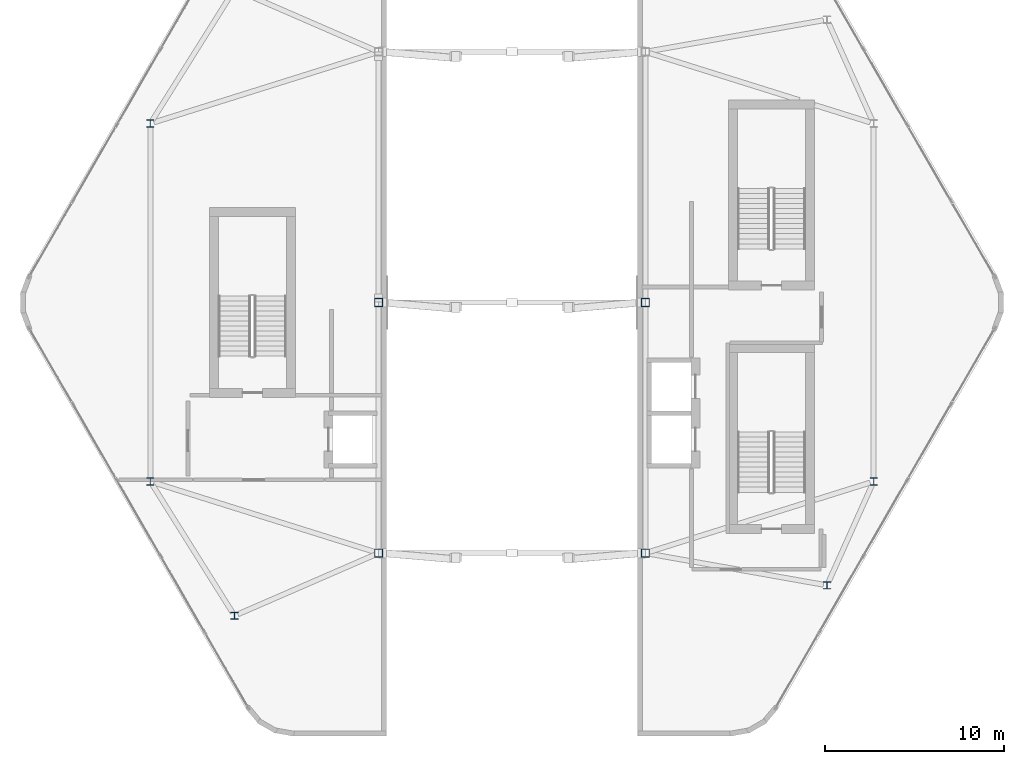
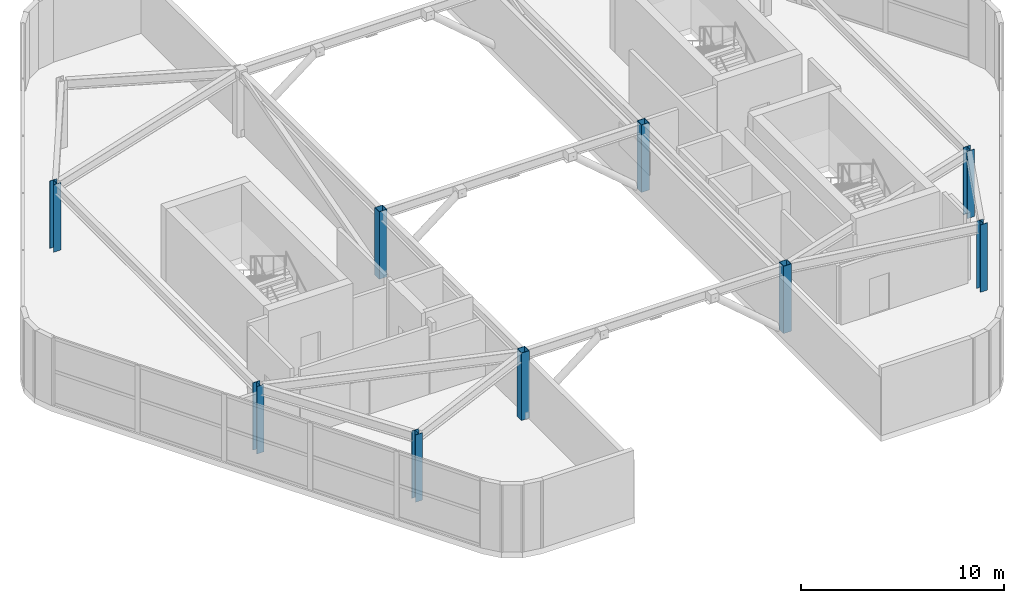
# One storey, part 1 of 16: 9 columns.
"""IFC4 building model written with IfcOpenShell, lengths in metres."""

from ifc_helpers import new_model, si_unit, direction, frame, origin, origin_2d, place, context, subcontext, project, spatial, hollow_rectangle, i_section, extrude, material, material_profile, profile_set, type_object, element, save


model = new_model("IFC4")

# Units and contexts
model_context = context("Model", 3, precision=1e-05, world=origin(), true_north=direction((0.0, 1.0)))
body_context = subcontext(model_context, "Body", "Model", "MODEL_VIEW")
ifc_project = project(units=[si_unit("LENGTHUNIT", "METRE"), si_unit("AREAUNIT", "SQUARE_METRE"), si_unit("VOLUMEUNIT", "CUBIC_METRE"), si_unit("PLANEANGLEUNIT", "RADIAN"), si_unit("MASSUNIT", "GRAM", prefix="KILO")], contexts=[model_context])

# Site, building, storey
site_placement = place(None, origin())
site = spatial("IfcSite", under=ifc_project, at=site_placement, CompositionType="ELEMENT")
building_placement = place(site_placement, origin())
building = spatial("IfcBuilding", under=site, at=building_placement, Name="Zuhravey Tower", CompositionType="ELEMENT")
storey_placement = place(building_placement, frame((0.0, 0.0, 365.800048828125)))
storey = spatial("IfcBuildingStorey", under=building, at=storey_placement, Name="L93", CompositionType="ELEMENT", Elevation=365.800048828125)

# Columns
ifc_material = material(Name="Steel SM355", Category="steel")
ifc_material_profile_1 = material_profile(ifc_material, i_section(OverallWidth=0.39990234375, OverallDepth=0.39990234375, WebThickness=0.012939453125, FlangeThickness=0.02099609375, at=origin_2d()), Name="H-400x400x13x21")
ifc_profile_set_1 = profile_set([ifc_material_profile_1], Name="Steel SM355")
column_type_1 = type_object("IfcColumnType", Name="Crown Crest Column H400x400", PredefinedType="COLUMN", material=ifc_profile_set_1)
for number, where, z_axis, x_axis, name in (
    (1, (15.800048828125, 22.0, 0.0), (0.0, 0.0, 1.0), (1.0, 0.0, 0.0), "L93 West Crest Column WC1"),
    (2, (15.800048828125, 42.0, 0.0), (0.0, 0.0, 1.0), (1.0, 0.0, 0.0), "L93 West Crest Column WC2"),
    (3, (20.5, 14.5, 0.0), (0.0, 0.0, 1.0), (1.0, 0.0, 0.0), "L93 West Crest Column WC3"),
    (4, (56.199951171875, 22.0, 0.0), (0.0, 0.0, 1.0), (1.0, 0.0, 0.0), "L93 East Crest Column EC1"),
    (5, (53.60009765625, 16.199951171875, 0.0), (0.0, 0.0, 1.0), (1.0, 0.0, 0.0), "L93 East Crest Column EC3"),
):
    element("IfcColumn", number, at=place(storey_placement, frame(where, z_axis=z_axis, x_axis=x_axis)), inside=storey, type_object=column_type_1, Name=name, PredefinedType="COLUMN", context=body_context, shape_type="SweptSolid", body=[
        extrude(i_section(OverallWidth=0.39990234375, OverallDepth=0.39990234375, WebThickness=0.012939453125, FlangeThickness=0.02099609375, at=origin_2d()), origin(), (0.0, 0.0, 1.0), 4.050048828125),
    ])
ifc_material_profile_2 = material_profile(ifc_material, hollow_rectangle(XDim=0.449951171875, YDim=0.449951171875, WallThickness=0.02197265625, at=origin_2d()), Name="RHS-450x450x22")
ifc_profile_set_2 = profile_set([ifc_material_profile_2], Name="Steel SM355")
column_type_2 = type_object("IfcColumnType", Name="Crown Portal Pilaster RHS450x450", PredefinedType="PILASTER", material=ifc_profile_set_2)
for number, where, z_axis, x_axis, name in (
    (6, (28.550048828125, 18.0, 0.0), (0.0, 0.0, 1.0), (1.0, 0.0, 0.0), "L93 West Crest Column WP1"),
    (7, (28.550048828125, 32.0, 0.0), (0.0, 0.0, 1.0), (1.0, 0.0, 0.0), "L93 West Crest Column WP2"),
    (8, (43.449951171875, 18.0, 0.0), (0.0, 0.0, 1.0), (1.0, 0.0, 0.0), "L93 East Crest Column EP1"),
    (9, (43.449951171875, 32.0, 0.0), (0.0, 0.0, 1.0), (1.0, 0.0, 0.0), "L93 East Crest Column EP2"),
):
    element("IfcColumn", number, at=place(storey_placement, frame(where, z_axis=z_axis, x_axis=x_axis)), inside=storey, type_object=column_type_2, Name=name, PredefinedType="PILASTER", context=body_context, shape_type="SweptSolid", body=[
        extrude(hollow_rectangle(XDim=0.449951171875, YDim=0.449951171875, WallThickness=0.02197265625, at=origin_2d()), origin(), (0.0, 0.0, 1.0), 4.050048828125),
    ])

save(model, "model.ifc")
